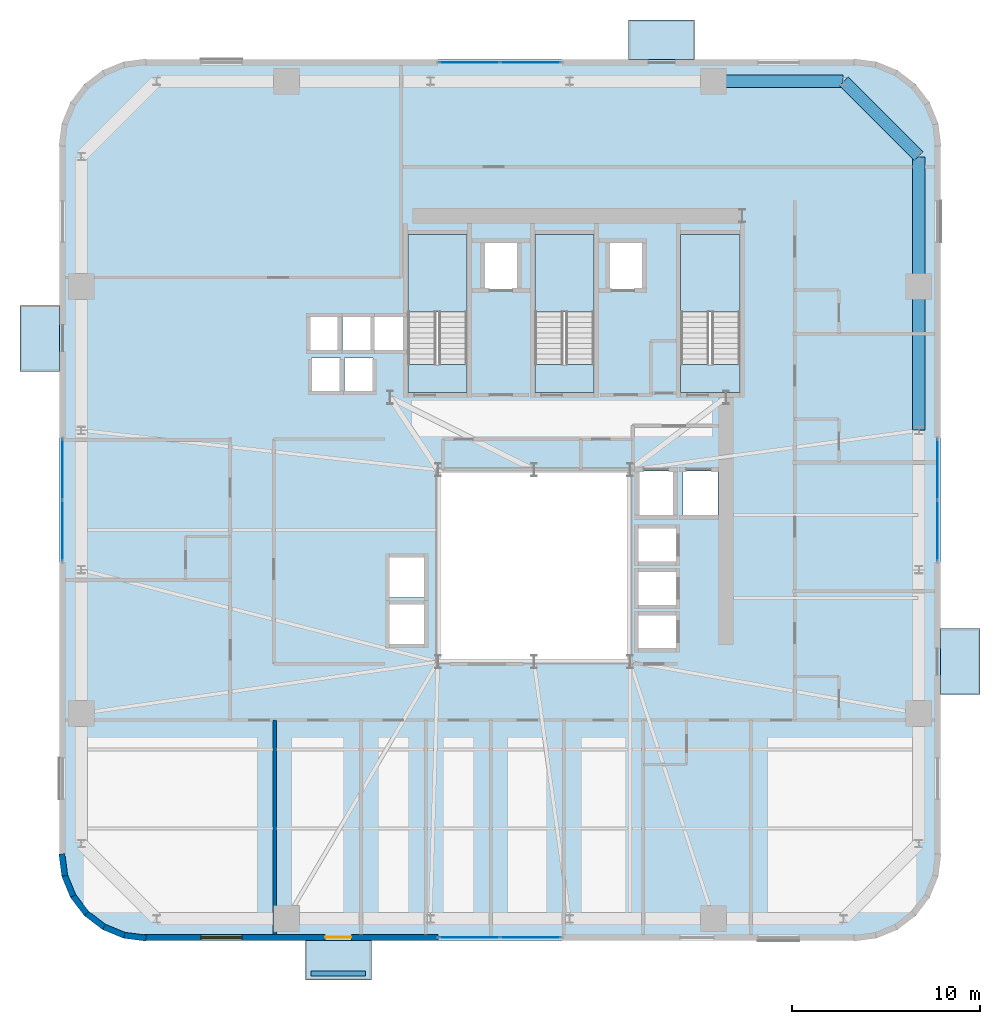
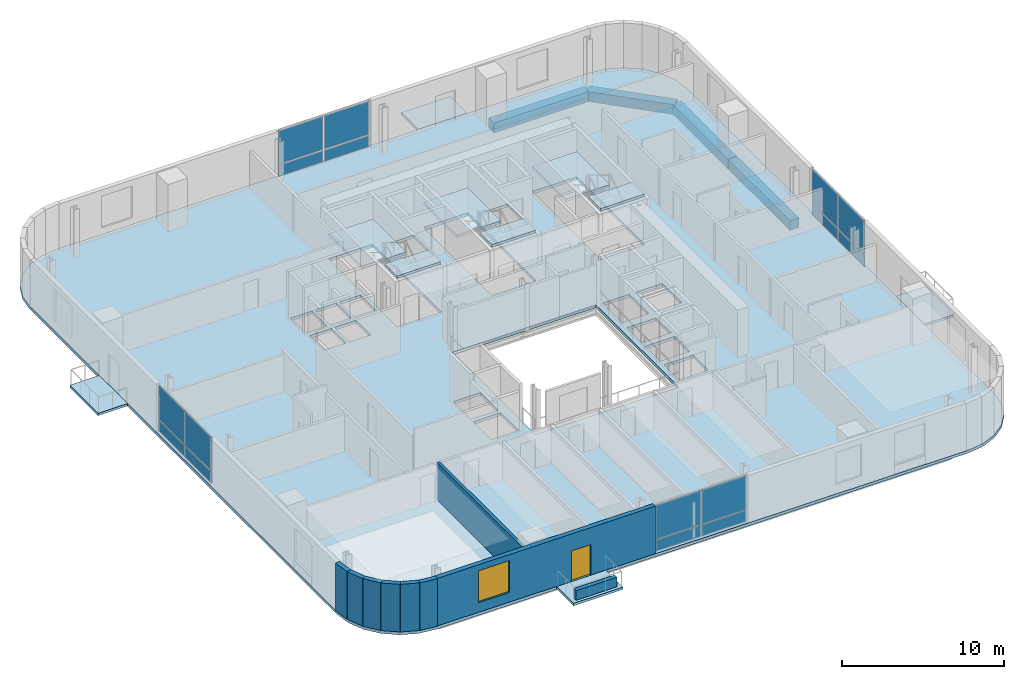
# One storey, part 6 of 14: 16 plates, 11 slabs, 9 walls, 4 beams, 1 door, 1 window, 2 openings, 7 elements without a shape of their own.
"""IFC4 building model written with IfcOpenShell, lengths in metres."""

from ifc_helpers import new_model, si_unit, direction, frame, frame_2d, origin, origin_2d, place, context, subcontext, project, spatial, polyline, rectangle, outline, extrude, source, transform, mapped, material, layer, layer_set, material_profile, profile_set, type_object, element, fill, aggregate, save


model = new_model("IFC4")

# Units and contexts
model_context = context("Model", 3, precision=1e-05, world=origin(), true_north=direction((0.0, 1.0)))
body_context = subcontext(model_context, "Body", "Model", "MODEL_VIEW")
ifc_project = project(units=[si_unit("LENGTHUNIT", "METRE"), si_unit("AREAUNIT", "SQUARE_METRE"), si_unit("VOLUMEUNIT", "CUBIC_METRE"), si_unit("PLANEANGLEUNIT", "RADIAN"), si_unit("MASSUNIT", "GRAM", prefix="KILO")], contexts=[model_context])

# Site, building, storey
site_placement = place(None, origin())
site = spatial("IfcSite", under=ifc_project, at=site_placement, CompositionType="ELEMENT")
building_placement = place(site_placement, origin())
building = spatial("IfcBuilding", under=site, at=building_placement, Name="Vardaveli Station Tower", CompositionType="ELEMENT")
storey_placement = place(building_placement, frame((0.0, 0.0, 177.199951171875)))
storey = spatial("IfcBuildingStorey", under=building, at=storey_placement, Name="L45", CompositionType="ELEMENT", Elevation=177.199951171875)

# Beams
ifc_material_1 = material(Name="Precast concrete C45/55", Category="concrete")
ifc_material_profile = material_profile(ifc_material_1, rectangle(XDim=0.64990234375, YDim=0.75, at=origin_2d()), Name="LPB 650x750")
ifc_profile_set = profile_set([ifc_material_profile], Name="Precast concrete C45/55")
beam_type = type_object("IfcBeamType", Name="BM-LPB-750", PredefinedType="BEAM", material=ifc_profile_set)
shared_shape_1 = source(origin(), body_context, "Body", "SweptSolid", [
    extrude(rectangle(XDim=0.64990234375, YDim=0.75, at=origin_2d()), origin(), (0.0, 0.0, 1.0), 7.60009765625),
])
beam_1_placement = place(storey_placement, frame((56.75, 28.919921875, -0.594970703125), z_axis=(0.0, 1.0, 0.0), x_axis=(-1.0, 0.0, 0.0)))
element("IfcBeam", 1, at=beam_1_placement, inside=storey, type_object=beam_type, Name="RBM-L45-09", PredefinedType="BEAM", context=body_context, shape_type="MappedRepresentation", body=[
    mapped(shared_shape_1, transform((0.0, 0.0, 0.0), scale=1.0)),
])
shared_shape_2 = source(origin(), body_context, "Body", "SweptSolid", [
    extrude(rectangle(XDim=0.64990234375, YDim=0.75, at=origin_2d()), origin(), (0.0, 0.0, 1.0), 6.869873046875),
])
for number, where, z_axis, x_axis, name in (
    (2, (56.75, 36.56005859375, -0.594970703125), (0.0, 1.0, 0.0), (-1.0, 0.0, 0.0), "RBM-L45-10"),
    (3, (52.72998046875, 47.449951171875, -0.594970703125), (-1.0, 0.0, 0.0), (0.0, -1.0, 0.0), "RBM-L45-12"),
):
    element("IfcBeam", number, at=place(storey_placement, frame(where, z_axis=z_axis, x_axis=x_axis)), inside=storey, type_object=beam_type, Name=name, PredefinedType="BEAM", context=body_context, shape_type="MappedRepresentation", body=[
        mapped(shared_shape_2, transform((0.0, 0.0, 0.0), scale=1.0)),
    ])
shared_shape_3 = source(origin(), body_context, "Body", "SweptSolid", [
    extrude(rectangle(XDim=0.64990234375, YDim=0.75, at=origin_2d()), origin(), (0.0, 0.0, 1.0), 5.61669921875),
])
beam_2_placement = place(storey_placement, frame((56.73583984375, 43.464111328125, -0.594970703125), z_axis=(-0.707106781187, 0.707106781187, 0.0), x_axis=(-0.707106781187, -0.707106781187, 0.0)))
element("IfcBeam", 4, at=beam_2_placement, inside=storey, type_object=beam_type, Name="RBM-L45-11", PredefinedType="BEAM", context=body_context, shape_type="MappedRepresentation", body=[
    mapped(shared_shape_3, transform((0.0, 0.0, 0.0), scale=1.0)),
])

# Stair, slabs
ifc_material_2 = material(Name="Concrete C40/50", Category="concrete")
stair_type = type_object("IfcStairType", Name="STR-CORE-1500", PredefinedType="HALF_TURN_STAIR", material=ifc_material_2)
stair_1_placement = place(storey_placement, origin())
stair_1 = element("IfcStair", 5, at=stair_1_placement, inside=storey, type_object=stair_type, Name="L45 ST-1", PredefinedType="HALF_TURN_STAIR")
ifc_layer_1 = layer(ifc_material_2, 0.199951171875, Name="Concrete C40/50")
ifc_layer_set_1 = layer_set([ifc_layer_1], Name="Concrete C40/50")
slab_type_1 = type_object("IfcSlabType", Name="SLB-LAND-200", PredefinedType="LANDING", material=ifc_layer_set_1)
slab_1_placement = place(storey_placement, frame((0.0, 0.0, 1.699951171875)))
slab_1 = element("IfcSlab", 6, at=slab_1_placement, type_object=slab_type_1, Name="ST-1 landing 1", PredefinedType="LANDING", context=body_context, shape_type="SweptSolid", body=[
    extrude(outline(polyline([(32.75, 35.199951171875), (32.75, 39.300048828125), (29.60009765625, 39.300048828125), (29.60009765625, 35.199951171875), (32.75, 35.199951171875)])), origin(), (0.0, 0.0, 1.0), 0.2001953125),
])
slab_2_placement = place(storey_placement, frame((0.0, 0.0, 3.60009765625)))
slab_2 = element("IfcSlab", 7, at=slab_2_placement, type_object=slab_type_1, Name="ST-1 landing 2", PredefinedType="LANDING", context=body_context, shape_type="SweptSolid", body=[
    extrude(outline(polyline([(32.75, 30.89990234375), (32.75, 32.39990234375), (29.60009765625, 32.39990234375), (29.60009765625, 30.89990234375), (32.75, 30.89990234375)])), origin(), (0.0, 0.0, 1.0), 0.199951171875),
])
aggregate(stair_1, [slab_1, slab_2])

stair_2_placement = place(storey_placement, origin())
stair_2 = element("IfcStair", 8, at=stair_2_placement, inside=storey, type_object=stair_type, Name="L45 ST-2", PredefinedType="HALF_TURN_STAIR")
slab_3_placement = place(storey_placement, frame((0.0, 0.0, 1.699951171875)))
slab_3 = element("IfcSlab", 9, at=slab_3_placement, type_object=slab_type_1, Name="ST-2 landing 1", PredefinedType="LANDING", context=body_context, shape_type="SweptSolid", body=[
    extrude(outline(polyline([(39.5, 35.199951171875), (39.5, 39.300048828125), (36.35009765625, 39.300048828125), (36.35009765625, 35.199951171875), (39.5, 35.199951171875)])), origin(), (0.0, 0.0, 1.0), 0.2001953125),
])
slab_4_placement = place(storey_placement, frame((0.0, 0.0, 3.60009765625)))
slab_4 = element("IfcSlab", 10, at=slab_4_placement, type_object=slab_type_1, Name="ST-2 landing 2", PredefinedType="LANDING", context=body_context, shape_type="SweptSolid", body=[
    extrude(outline(polyline([(39.5, 30.89990234375), (39.5, 32.39990234375), (36.35009765625, 32.39990234375), (36.35009765625, 30.89990234375), (39.5, 30.89990234375)])), origin(), (0.0, 0.0, 1.0), 0.199951171875),
])
aggregate(stair_2, [slab_3, slab_4])

stair_3_placement = place(storey_placement, origin())
stair_3 = element("IfcStair", 11, at=stair_3_placement, inside=storey, type_object=stair_type, Name="L45 ST-3", PredefinedType="HALF_TURN_STAIR")
slab_5_placement = place(storey_placement, frame((0.0, 0.0, 1.699951171875)))
slab_5 = element("IfcSlab", 12, at=slab_5_placement, type_object=slab_type_1, Name="ST-3 landing 1", PredefinedType="LANDING", context=body_context, shape_type="SweptSolid", body=[
    extrude(outline(polyline([(47.25, 35.199951171875), (47.25, 39.300048828125), (44.10009765625, 39.300048828125), (44.10009765625, 35.199951171875), (47.25, 35.199951171875)])), origin(), (0.0, 0.0, 1.0), 0.2001953125),
])
slab_6_placement = place(storey_placement, frame((0.0, 0.0, 3.60009765625)))
slab_6 = element("IfcSlab", 13, at=slab_6_placement, type_object=slab_type_1, Name="ST-3 landing 2", PredefinedType="LANDING", context=body_context, shape_type="SweptSolid", body=[
    extrude(outline(polyline([(47.25, 30.89990234375), (47.25, 32.39990234375), (44.10009765625, 32.39990234375), (44.10009765625, 30.89990234375), (47.25, 30.89990234375)])), origin(), (0.0, 0.0, 1.0), 0.199951171875),
])
aggregate(stair_3, [slab_5, slab_6])

# Slabs
ifc_layer_2 = layer(ifc_material_1, 0.179931640625, Name="Precast concrete C45/55")
ifc_layer_set_2 = layer_set([ifc_layer_2], Name="Precast concrete C45/55")
slab_type_2 = type_object("IfcSlabType", Name="SLB-LOGGIA-180", PredefinedType="FLOOR", material=ifc_layer_set_2)
slab_7_placement = place(storey_placement, frame((0.0, 0.0, -0.179931640625)))
element("IfcSlab", 14, at=slab_7_placement, inside=storey, type_object=slab_type_2, Name="LOG-L45-S", PredefinedType="FLOOR", context=body_context, shape_type="SweptSolid", body=[
    extrude(outline(polyline([(24.160400390625, -0.300048828125), (27.660400390625, -0.300048828125), (27.660400390625, 1.800048828125), (24.160400390625, 1.800048828125), (24.160400390625, -0.300048828125)])), origin(), (0.0, 0.0, 1.0), 0.179931640625),
])
slab_8_placement = place(storey_placement, frame((0.0, 0.0, -0.179931640625)))
element("IfcSlab", 15, at=slab_8_placement, inside=storey, type_object=slab_type_2, Name="LOG-L45-N", PredefinedType="FLOOR", context=body_context, shape_type="SweptSolid", body=[
    extrude(outline(polyline([(41.339599609375, 48.60009765625), (44.839599609375, 48.60009765625), (44.839599609375, 50.699951171875), (41.339599609375, 50.699951171875), (41.339599609375, 48.60009765625)])), origin(), (0.0, 0.0, 1.0), 0.179931640625),
])
slab_9_placement = place(storey_placement, frame((0.0, 0.0, -0.179931640625)))
element("IfcSlab", 16, at=slab_9_placement, inside=storey, type_object=slab_type_2, Name="LOG-L45-W", PredefinedType="FLOOR", context=body_context, shape_type="SweptSolid", body=[
    extrude(outline(polyline([(9.0, 32.03955078125), (11.10009765625, 32.03955078125), (11.10009765625, 35.53955078125), (9.0, 35.53955078125), (9.0, 32.03955078125)])), origin(), (0.0, 0.0, 1.0), 0.179931640625),
])
slab_10_placement = place(storey_placement, frame((0.0, 0.0, -0.179931640625)))
element("IfcSlab", 17, at=slab_10_placement, inside=storey, type_object=slab_type_2, Name="LOG-L45-E", PredefinedType="FLOOR", context=body_context, shape_type="SweptSolid", body=[
    extrude(outline(polyline([(57.89990234375, 14.8603515625), (60.0, 14.8603515625), (60.0, 18.3603515625), (57.89990234375, 18.3603515625), (57.89990234375, 14.8603515625)])), origin(), (0.0, 0.0, 1.0), 0.179931640625),
])
ifc_layer_3 = layer(ifc_material_2, 0.219970703125, Name="Concrete C40/50")
ifc_layer_set_3 = layer_set([ifc_layer_3], Name="Concrete C40/50")
slab_type_3 = type_object("IfcSlabType", Name="SLB-TOW-220", PredefinedType="FLOOR", material=ifc_layer_set_3)
slab_11_placement = place(storey_placement, frame((0.0, 0.0, -0.219970703125)))
element("IfcSlab", 18, at=slab_11_placement, inside=storey, type_object=slab_type_3, Name="SLB-L45-MAIN", PredefinedType="FLOOR", context=body_context, shape_type="SweptSolid", body=[
    extrude(outline(polyline([(11.10009765625, 6.300048828125), (11.25341796875, 5.13525390625), (11.702880859375, 4.050048828125), (12.41796875, 3.117919921875), (13.35009765625, 2.40283203125), (14.435302734375, 1.953369140625), (15.60009765625, 1.800048828125), (53.39990234375, 1.800048828125), (54.564697265625, 1.953369140625), (55.64990234375, 2.40283203125), (56.58203125, 3.117919921875), (57.297119140625, 4.050048828125), (57.74658203125, 5.13525390625), (57.89990234375, 6.300048828125), (57.89990234375, 44.10009765625), (57.74658203125, 45.2646484375), (57.297119140625, 46.35009765625), (56.58203125, 47.281982421875), (55.64990234375, 47.9970703125), (54.564697265625, 48.44677734375), (53.39990234375, 48.60009765625), (15.60009765625, 48.60009765625), (14.435302734375, 48.44677734375), (13.35009765625, 47.9970703125), (12.41796875, 47.281982421875), (11.702880859375, 46.35009765625), (11.25341796875, 45.2646484375), (11.10009765625, 44.10009765625), (11.10009765625, 6.300048828125)]), holes=[polyline([(31.199951171875, 16.60009765625), (41.39990234375, 16.60009765625), (41.39990234375, 26.800048828125), (31.199951171875, 26.800048828125), (31.199951171875, 16.60009765625)]), polyline([(32.75, 30.89990234375), (32.75, 39.300048828125), (29.60009765625, 39.300048828125), (29.60009765625, 30.89990234375), (32.75, 30.89990234375)]), polyline([(39.5, 30.89990234375), (39.5, 39.300048828125), (36.35009765625, 39.300048828125), (36.35009765625, 30.89990234375), (39.5, 30.89990234375)]), polyline([(47.25, 30.89990234375), (47.25, 39.300048828125), (44.10009765625, 39.300048828125), (44.10009765625, 30.89990234375), (47.25, 30.89990234375)]), polyline([(24.385009765625, 33.135009765625), (25.9150390625, 33.135009765625), (25.9150390625, 34.965087890625), (24.385009765625, 34.965087890625), (24.385009765625, 33.135009765625)]), polyline([(26.135009765625, 33.135009765625), (27.6650390625, 33.135009765625), (27.6650390625, 34.965087890625), (26.135009765625, 34.965087890625), (26.135009765625, 33.135009765625)]), polyline([(27.8349609375, 33.135009765625), (29.364990234375, 33.135009765625), (29.364990234375, 34.965087890625), (27.8349609375, 34.965087890625), (27.8349609375, 33.135009765625)]), polyline([(33.659912109375, 36.409912109375), (35.43994140625, 36.409912109375), (35.43994140625, 38.889892578125), (33.659912109375, 38.889892578125), (33.659912109375, 36.409912109375)]), polyline([(40.31005859375, 36.409912109375), (42.090087890625, 36.409912109375), (42.090087890625, 38.889892578125), (40.31005859375, 38.889892578125), (40.31005859375, 36.409912109375)]), polyline([(24.485107421875, 30.9599609375), (26.014892578125, 30.9599609375), (26.014892578125, 32.739990234375), (24.485107421875, 32.739990234375), (24.485107421875, 30.9599609375)]), polyline([(26.235107421875, 30.9599609375), (27.764892578125, 30.9599609375), (27.764892578125, 32.739990234375), (26.235107421875, 32.739990234375), (26.235107421875, 30.9599609375)]), polyline([(41.81005859375, 21.885009765625), (43.889892578125, 21.885009765625), (43.889892578125, 23.715087890625), (41.81005859375, 23.715087890625), (41.81005859375, 21.885009765625)]), polyline([(41.81005859375, 19.5849609375), (43.889892578125, 19.5849609375), (43.889892578125, 21.4150390625), (41.81005859375, 21.4150390625), (41.81005859375, 19.5849609375)]), polyline([(41.81005859375, 17.284912109375), (43.889892578125, 17.284912109375), (43.889892578125, 19.114990234375), (41.81005859375, 19.114990234375), (41.81005859375, 17.284912109375)]), polyline([(28.5849609375, 17.510009765625), (30.514892578125, 17.510009765625), (30.514892578125, 19.68994140625), (28.5849609375, 19.68994140625), (28.5849609375, 17.510009765625)]), polyline([(28.5849609375, 20.010009765625), (30.514892578125, 20.010009765625), (30.514892578125, 22.18994140625), (28.5849609375, 22.18994140625), (28.5849609375, 20.010009765625)]), polyline([(41.860107421875, 24.360107421875), (43.739990234375, 24.360107421875), (43.739990234375, 26.739990234375), (41.860107421875, 26.739990234375), (41.860107421875, 24.360107421875)]), polyline([(44.2099609375, 24.360107421875), (46.090087890625, 24.360107421875), (46.090087890625, 26.739990234375), (44.2099609375, 26.739990234375), (44.2099609375, 24.360107421875)])]), origin(), (0.0, 0.0, 1.0), 0.219970703125),
])

# Curtain wall, plates
ifc_material_3 = material(Name="Travertine stone and solar-control glass", Category="masonry")
curtain_wall_type = type_object("IfcCurtainWallType", Name="CW-SYS-5", PredefinedType="NOTDEFINED", material=ifc_material_3)
curtain_wall_1_placement = place(storey_placement, origin())
curtain_wall_1 = element("IfcCurtainWall", 19, at=curtain_wall_1_placement, inside=storey, type_object=curtain_wall_type, Name="CW-L45-S", PredefinedType="NOTDEFINED")
ifc_material_4 = material(Name="Double-glazed low-E solar-control glass", Category="glass")
ifc_layer_4 = layer(ifc_material_4, 0.031982421875, Name="Double-glazed low-E solar-control glass")
ifc_layer_set_4 = layer_set([ifc_layer_4], Name="Double-glazed low-E solar-control glass")
plate_type = type_object("IfcPlateType", Name="CW-SYS-5-PAN", PredefinedType="CURTAIN_PANEL", material=ifc_layer_set_4)
shared_shape_4 = source(origin(), body_context, "Body", "SweptSolid", [
    extrude(rectangle(XDim=3.179931640625, YDim=0.031982421875, at=origin_2d()), origin(), (0.0, 0.0, 1.0), 0.830078125),
])
plate_1_placement = place(storey_placement, frame((32.8701171875, 1.9599609375, 0.080078125), z_axis=(0.0, 0.0, 1.0), x_axis=(1.0, 0.0, 0.0)))
plate_1 = element("IfcPlate", 20, at=plate_1_placement, type_object=plate_type, Name="CW-5 panel 1.1", PredefinedType="CURTAIN_PANEL", context=body_context, shape_type="MappedRepresentation", body=[
    mapped(shared_shape_4, transform((0.0, 0.0, 0.0), scale=1.0)),
])
plate_2_placement = place(storey_placement, frame((36.1298828125, 1.9599609375, 0.080078125), z_axis=(0.0, 0.0, 1.0), x_axis=(1.0, 0.0, 0.0)))
plate_2 = element("IfcPlate", 21, at=plate_2_placement, type_object=plate_type, Name="CW-5 panel 2.1", PredefinedType="CURTAIN_PANEL", context=body_context, shape_type="MappedRepresentation", body=[
    mapped(shared_shape_4, transform((0.0, 0.0, 0.0), scale=1.0)),
])

curtain_wall_2_placement = place(storey_placement, origin())
curtain_wall_2 = element("IfcCurtainWall", 22, at=curtain_wall_2_placement, inside=storey, type_object=curtain_wall_type, Name="CW-L45-N", PredefinedType="NOTDEFINED")
plate_3_placement = place(storey_placement, frame((36.1298828125, 48.43994140625, 0.080078125), z_axis=(0.0, 0.0, 1.0), x_axis=(-1.0, 0.0, 0.0)))
plate_3 = element("IfcPlate", 23, at=plate_3_placement, type_object=plate_type, Name="CW-5 panel 1.1", PredefinedType="CURTAIN_PANEL", context=body_context, shape_type="MappedRepresentation", body=[
    mapped(shared_shape_4, transform((0.0, 0.0, 0.0), scale=1.0)),
])
plate_4_placement = place(storey_placement, frame((32.8701171875, 48.43994140625, 0.080078125), z_axis=(0.0, 0.0, 1.0), x_axis=(-1.0, 0.0, 0.0)))
plate_4 = element("IfcPlate", 24, at=plate_4_placement, type_object=plate_type, Name="CW-5 panel 2.1", PredefinedType="CURTAIN_PANEL", context=body_context, shape_type="MappedRepresentation", body=[
    mapped(shared_shape_4, transform((0.0, 0.0, 0.0), scale=1.0)),
])

curtain_wall_3_placement = place(storey_placement, origin())
curtain_wall_3 = element("IfcCurtainWall", 25, at=curtain_wall_3_placement, inside=storey, type_object=curtain_wall_type, Name="CW-L45-W", PredefinedType="NOTDEFINED")
plate_5_placement = place(storey_placement, frame((11.260009765625, 26.830078125, 0.080078125), z_axis=(0.0, 0.0, 1.0), x_axis=(0.0, -1.0, 0.0)))
plate_5 = element("IfcPlate", 26, at=plate_5_placement, type_object=plate_type, Name="CW-5 panel 1.1", PredefinedType="CURTAIN_PANEL", context=body_context, shape_type="MappedRepresentation", body=[
    mapped(shared_shape_4, transform((0.0, 0.0, 0.0), scale=1.0)),
])
plate_6_placement = place(storey_placement, frame((11.260009765625, 23.570068359375, 0.080078125), z_axis=(0.0, 0.0, 1.0), x_axis=(0.0, -1.0, 0.0)))
plate_6 = element("IfcPlate", 27, at=plate_6_placement, type_object=plate_type, Name="CW-5 panel 2.1", PredefinedType="CURTAIN_PANEL", context=body_context, shape_type="MappedRepresentation", body=[
    mapped(shared_shape_4, transform((0.0, 0.0, 0.0), scale=1.0)),
])

curtain_wall_4_placement = place(storey_placement, origin())
curtain_wall_4 = element("IfcCurtainWall", 28, at=curtain_wall_4_placement, inside=storey, type_object=curtain_wall_type, Name="CW-L45-E", PredefinedType="NOTDEFINED")
plate_7_placement = place(storey_placement, frame((57.739990234375, 23.570068359375, 0.080078125), z_axis=(0.0, 0.0, 1.0), x_axis=(0.0, 1.0, 0.0)))
plate_7 = element("IfcPlate", 29, at=plate_7_placement, type_object=plate_type, Name="CW-5 panel 1.1", PredefinedType="CURTAIN_PANEL", context=body_context, shape_type="MappedRepresentation", body=[
    mapped(shared_shape_4, transform((0.0, 0.0, 0.0), scale=1.0)),
])
plate_8_placement = place(storey_placement, frame((57.739990234375, 26.830078125, 0.080078125), z_axis=(0.0, 0.0, 1.0), x_axis=(0.0, 1.0, 0.0)))
plate_8 = element("IfcPlate", 30, at=plate_8_placement, type_object=plate_type, Name="CW-5 panel 2.1", PredefinedType="CURTAIN_PANEL", context=body_context, shape_type="MappedRepresentation", body=[
    mapped(shared_shape_4, transform((0.0, 0.0, 0.0), scale=1.0)),
])

# Plate
shared_shape_5 = source(origin(), body_context, "Body", "SweptSolid", [
    extrude(rectangle(XDim=3.179931640625, YDim=0.031982421875, at=origin_2d()), origin(), (0.0, 0.0, 1.0), 2.510009765625),
])
plate_9_placement = place(storey_placement, frame((32.8701171875, 1.9599609375, 0.990234375), z_axis=(0.0, 0.0, 1.0), x_axis=(1.0, 0.0, 0.0)))
plate_9 = element("IfcPlate", 31, at=plate_9_placement, type_object=plate_type, Name="CW-5 panel 1.2", PredefinedType="CURTAIN_PANEL", context=body_context, shape_type="MappedRepresentation", body=[
    mapped(shared_shape_5, transform((0.0, 0.0, 0.0), scale=1.0)),
])

plate_10_placement = place(storey_placement, frame((36.1298828125, 1.9599609375, 0.990234375), z_axis=(0.0, 0.0, 1.0), x_axis=(1.0, 0.0, 0.0)))
plate_10 = element("IfcPlate", 32, at=plate_10_placement, type_object=plate_type, Name="CW-5 panel 2.2", PredefinedType="CURTAIN_PANEL", context=body_context, shape_type="MappedRepresentation", body=[
    mapped(shared_shape_5, transform((0.0, 0.0, 0.0), scale=1.0)),
])

aggregate(curtain_wall_1, [plate_1, plate_9, plate_2, plate_10])

plate_11_placement = place(storey_placement, frame((36.1298828125, 48.43994140625, 0.990234375), z_axis=(0.0, 0.0, 1.0), x_axis=(-1.0, 0.0, 0.0)))
plate_11 = element("IfcPlate", 33, at=plate_11_placement, type_object=plate_type, Name="CW-5 panel 1.2", PredefinedType="CURTAIN_PANEL", context=body_context, shape_type="MappedRepresentation", body=[
    mapped(shared_shape_5, transform((0.0, 0.0, 0.0), scale=1.0)),
])

plate_12_placement = place(storey_placement, frame((32.8701171875, 48.43994140625, 0.990234375), z_axis=(0.0, 0.0, 1.0), x_axis=(-1.0, 0.0, 0.0)))
plate_12 = element("IfcPlate", 34, at=plate_12_placement, type_object=plate_type, Name="CW-5 panel 2.2", PredefinedType="CURTAIN_PANEL", context=body_context, shape_type="MappedRepresentation", body=[
    mapped(shared_shape_5, transform((0.0, 0.0, 0.0), scale=1.0)),
])

aggregate(curtain_wall_2, [plate_3, plate_11, plate_4, plate_12])

plate_13_placement = place(storey_placement, frame((11.260009765625, 26.830078125, 0.990234375), z_axis=(0.0, 0.0, 1.0), x_axis=(0.0, -1.0, 0.0)))
plate_13 = element("IfcPlate", 35, at=plate_13_placement, type_object=plate_type, Name="CW-5 panel 1.2", PredefinedType="CURTAIN_PANEL", context=body_context, shape_type="MappedRepresentation", body=[
    mapped(shared_shape_5, transform((0.0, 0.0, 0.0), scale=1.0)),
])

plate_14_placement = place(storey_placement, frame((11.260009765625, 23.570068359375, 0.990234375), z_axis=(0.0, 0.0, 1.0), x_axis=(0.0, -1.0, 0.0)))
plate_14 = element("IfcPlate", 36, at=plate_14_placement, type_object=plate_type, Name="CW-5 panel 2.2", PredefinedType="CURTAIN_PANEL", context=body_context, shape_type="MappedRepresentation", body=[
    mapped(shared_shape_5, transform((0.0, 0.0, 0.0), scale=1.0)),
])

aggregate(curtain_wall_3, [plate_5, plate_13, plate_6, plate_14])

plate_15_placement = place(storey_placement, frame((57.739990234375, 23.570068359375, 0.990234375), z_axis=(0.0, 0.0, 1.0), x_axis=(0.0, 1.0, 0.0)))
plate_15 = element("IfcPlate", 37, at=plate_15_placement, type_object=plate_type, Name="CW-5 panel 1.2", PredefinedType="CURTAIN_PANEL", context=body_context, shape_type="MappedRepresentation", body=[
    mapped(shared_shape_5, transform((0.0, 0.0, 0.0), scale=1.0)),
])

plate_16_placement = place(storey_placement, frame((57.739990234375, 26.830078125, 0.990234375), z_axis=(0.0, 0.0, 1.0), x_axis=(0.0, 1.0, 0.0)))
plate_16 = element("IfcPlate", 38, at=plate_16_placement, type_object=plate_type, Name="CW-5 panel 2.2", PredefinedType="CURTAIN_PANEL", context=body_context, shape_type="MappedRepresentation", body=[
    mapped(shared_shape_5, transform((0.0, 0.0, 0.0), scale=1.0)),
])

aggregate(curtain_wall_4, [plate_7, plate_15, plate_8, plate_16])

# Wall
ifc_layer_5 = layer(ifc_material_1, 0.280029296875, Name="Precast concrete C45/55")
ifc_layer_set_5 = layer_set([ifc_layer_5], Name="Precast concrete C45/55")
wall_type_1 = type_object("IfcWallType", Name="WAL-PARAPET-280", PredefinedType="SOLIDWALL", material=ifc_layer_set_5)
shared_shape_6 = source(origin(), body_context, "Body", "SweptSolid", [
    extrude(rectangle(XDim=2.89990234375, YDim=0.280029296875, at=frame_2d((1.449951171875, 0.0))), origin(), (0.0, 0.0, 1.0), 0.719970703125),
])
wall_1_placement = place(storey_placement, frame((24.46044921875, 0.050048828125, 0.0), z_axis=(0.0, 0.0, 1.0), x_axis=(1.0, 0.0, 0.0)))
element("IfcWall", 39, at=wall_1_placement, inside=storey, type_object=wall_type_1, Name="Terrace Travertine Planter L45", PredefinedType="SOLIDWALL", context=body_context, shape_type="MappedRepresentation", body=[
    mapped(shared_shape_6, transform((0.0, 0.0, 0.0), scale=1.0)),
])

# Wall, openings, door, window
ifc_layer_6 = layer(ifc_material_1, 0.320068359375, Name="Precast concrete C45/55")
ifc_layer_set_6 = layer_set([ifc_layer_6], Name="Precast concrete C45/55")
wall_type_2 = type_object("IfcWallType", Name="WAL-EXT-STONE-320", PredefinedType="SOLIDWALL", material=ifc_layer_set_6)
shared_shape_7 = source(origin(), body_context, "Body", "SweptSolid", [
    extrude(rectangle(XDim=15.599853515625, YDim=0.320068359375, at=frame_2d((7.7998046875, 0.0))), origin(), (0.0, 0.0, 1.0), 3.580078125),
])
wall_2_placement = place(storey_placement, frame((15.60009765625, 1.9599609375, 0.0), z_axis=(0.0, 0.0, 1.0), x_axis=(1.0, 0.0, 0.0)))
wall_2 = element("IfcWall", 40, at=wall_2_placement, inside=storey, type_object=wall_type_2, Name="EW-L45-S1", PredefinedType="SOLIDWALL", context=body_context, shape_type="MappedRepresentation", body=[
    mapped(shared_shape_7, transform((0.0, 0.0, 0.0), scale=1.0)),
])
shared_shape_8 = source(origin(), body_context, "Body", "SweptSolid", [
    extrude(rectangle(XDim=1.39990234375, YDim=2.300048828125, at=frame_2d((0.699951171875, 1.14990234375))), frame((0.0, 0.169921875, 0.0), z_axis=(0.0, -1.0, 0.0), x_axis=(1.0, 0.0, 0.0)), (0.0, 0.0, 1.0), 0.340087890625),
])
opening_1_placement = place(wall_2_placement, frame((9.6103515625, 0.0, 0.0)))
opening_1 = element("IfcOpeningElement", 41, at=opening_1_placement, cuts=wall_2, Name="Opening D-09", PredefinedType="OPENING", context=body_context, shape_type="MappedRepresentation", body=[
    mapped(shared_shape_8, transform((0.0, 0.0, 0.0), scale=1.0)),
])
shared_shape_9 = source(origin(), body_context, "Body", "SweptSolid", [
    extrude(rectangle(XDim=2.199951171875, YDim=2.39990234375, at=frame_2d((1.10009765625, 1.199951171875))), frame((0.0, 0.169921875, 0.0), z_axis=(0.0, -1.0, 0.0), x_axis=(1.0, 0.0, 0.0)), (0.0, 0.0, 1.0), 0.340087890625),
])
opening_2_placement = place(wall_2_placement, frame((3.0048828125, 0.0, 0.719970703125)))
opening_2 = element("IfcOpeningElement", 42, at=opening_2_placement, cuts=wall_2, Name="Opening W-03", PredefinedType="OPENING", context=body_context, shape_type="MappedRepresentation", body=[
    mapped(shared_shape_9, transform((0.0, 0.0, 0.0), scale=1.0)),
])
ifc_material_5 = material(Name="Thermally broken aluminium glass", Category="aluminium")
door_type = type_object("IfcDoorType", Name="DR-LOG-1400x2300", OperationType="DOUBLE_DOOR_SLIDING", PredefinedType="DOOR", material=ifc_material_5)
shared_shape_10 = source(origin(), body_context, "Body", "SweptSolid", [
    extrude(rectangle(XDim=1.39990234375, YDim=2.300048828125, at=frame_2d((0.699951171875, 1.14990234375))), frame((0.0, 0.02490234375, 0.0), z_axis=(0.0, -1.0, 0.0), x_axis=(1.0, 0.0, 0.0)), (0.0, 0.0, 1.0), 0.050048828125),
])
door_placement = place(opening_1_placement, frame((1.39990234375, 0.0, 0.0), z_axis=(0.0, 0.0, 1.0), x_axis=(-1.0, 0.0, 0.0)))
door = element("IfcDoor", 43, at=door_placement, inside=storey, type_object=door_type, Name="DLG-L45-S", OperationType="DOUBLE_DOOR_SLIDING", OverallHeight=2.300048828125, OverallWidth=1.39990234375, PredefinedType="DOOR", context=body_context, shape_type="MappedRepresentation", body=[
    mapped(shared_shape_10, transform((0.0, 0.0, 0.0), scale=1.0)),
])
fill(opening_1, door)
ifc_material_6 = material(Name="Low-E solar-control glass", Category="glass")
window_type = type_object("IfcWindowType", Name="WIN-LOG-2200x2400", PartitioningType="SINGLE_PANEL", PredefinedType="WINDOW", material=ifc_material_6)
shared_shape_11 = source(origin(), body_context, "Body", "SweptSolid", [
    extrude(rectangle(XDim=2.199951171875, YDim=2.39990234375, at=frame_2d((1.10009765625, 1.199951171875))), frame((0.0, 0.030029296875, 0.0), z_axis=(0.0, -1.0, 0.0), x_axis=(1.0, 0.0, 0.0)), (0.0, 0.0, 1.0), 0.06005859375),
])
window_placement = place(opening_2_placement, origin())
window = element("IfcWindow", 44, at=window_placement, inside=storey, type_object=window_type, Name="WN-L45-S1", OverallHeight=2.39990234375, OverallWidth=2.199951171875, PartitioningType="SINGLE_PANEL", PredefinedType="WINDOW", context=body_context, shape_type="MappedRepresentation", body=[
    mapped(shared_shape_11, transform((0.0, 0.0, 0.0), scale=1.0)),
])
fill(opening_2, window)

# Walls
shared_shape_12 = source(origin(), body_context, "Body", "SweptSolid", [
    extrude(rectangle(XDim=1.170654296875, YDim=0.320068359375, at=frame_2d((0.58544921875, 0.0))), origin(), (0.0, 0.0, 1.0), 3.580078125),
])
wall_3_placement = place(storey_placement, frame((11.224365234375, 6.400634765625, 0.0), z_axis=(0.0, 0.0, 1.0), x_axis=(0.128269133229, -0.991739395941, 0.0)))
element("IfcWall", 45, at=wall_3_placement, inside=storey, type_object=wall_type_2, Name="EW-L45-CR1-1", PredefinedType="SOLIDWALL", context=body_context, shape_type="MappedRepresentation", body=[
    mapped(shared_shape_12, transform((0.0, 0.0, 0.0), scale=1.0)),
])
shared_shape_13 = source(origin(), body_context, "Body", "SweptSolid", [
    extrude(rectangle(XDim=1.1689453125, YDim=0.320068359375, at=frame_2d((0.58447265625, 0.0))), origin(), (0.0, 0.0, 1.0), 3.580078125),
])
for number, where, z_axis, x_axis, name in (
    (46, (11.37451171875, 5.23974609375, 0.0), (0.0, 0.0, 1.0), (0.381127904695, -0.924522320046, 0.0), "EW-L45-CR1-2"),
    (47, (11.820068359375, 4.158935546875, 0.0), (0.0, 0.0, 1.0), (0.608387696831, -0.793639975269, 0.0), "EW-L45-CR1-3"),
):
    element("IfcWall", number, at=place(storey_placement, frame(where, z_axis=z_axis, x_axis=x_axis)), inside=storey, type_object=wall_type_2, Name=name, PredefinedType="SOLIDWALL", context=body_context, shape_type="MappedRepresentation", body=[
        mapped(shared_shape_13, transform((0.0, 0.0, 0.0), scale=1.0)),
    ])
shared_shape_14 = source(origin(), body_context, "Body", "SweptSolid", [
    extrude(rectangle(XDim=1.168701171875, YDim=0.320068359375, at=frame_2d((0.58447265625, 0.0))), origin(), (0.0, 0.0, 1.0), 3.580078125),
])
wall_4_placement = place(storey_placement, frame((12.53125, 3.231201171875, 0.0), z_axis=(0.0, 0.0, 1.0), x_axis=(0.793663520347, -0.608356981114, 0.0)))
element("IfcWall", 48, at=wall_4_placement, inside=storey, type_object=wall_type_2, Name="EW-L45-CR1-4", PredefinedType="SOLIDWALL", context=body_context, shape_type="MappedRepresentation", body=[
    mapped(shared_shape_14, transform((0.0, 0.0, 0.0), scale=1.0)),
])
shared_shape_15 = source(origin(), body_context, "Body", "SweptSolid", [
    extrude(rectangle(XDim=1.16943359375, YDim=0.320068359375, at=frame_2d((0.584716796875, 0.0))), origin(), (0.0, 0.0, 1.0), 3.580078125),
])
wall_5_placement = place(storey_placement, frame((13.458740234375, 2.520263671875, 0.0), z_axis=(0.0, 0.0, 1.0), x_axis=(0.924479075121, -0.381232789334, 0.0)))
element("IfcWall", 49, at=wall_5_placement, inside=storey, type_object=wall_type_2, Name="EW-L45-CR1-5", PredefinedType="SOLIDWALL", context=body_context, shape_type="MappedRepresentation", body=[
    mapped(shared_shape_15, transform((0.0, 0.0, 0.0), scale=1.0)),
])
shared_shape_16 = source(origin(), body_context, "Body", "SweptSolid", [
    extrude(rectangle(XDim=1.170166015625, YDim=0.320068359375, at=frame_2d((0.5849609375, 0.0))), origin(), (0.0, 0.0, 1.0), 3.580078125),
])
wall_6_placement = place(storey_placement, frame((14.539794921875, 2.074462890625, 0.0), z_axis=(0.0, 0.0, 1.0), x_axis=(0.991762485493, -0.128090485085, 0.0)))
element("IfcWall", 50, at=wall_6_placement, inside=storey, type_object=wall_type_2, Name="EW-L45-CR1-6", PredefinedType="SOLIDWALL", context=body_context, shape_type="MappedRepresentation", body=[
    mapped(shared_shape_16, transform((0.0, 0.0, 0.0), scale=1.0)),
])
ifc_material_7 = material(Name="Acoustic twin-stud gypsum partition")
ifc_layer_7 = layer(ifc_material_7, 0.199951171875, Name="Acoustic twin-stud gypsum partition")
ifc_layer_set_7 = layer_set([ifc_layer_7], Name="Acoustic twin-stud gypsum partition")
wall_type_3 = type_object("IfcWallType", Name="WAL-PARTY-200", PredefinedType="PARTITIONING", material=ifc_layer_set_7)
shared_shape_17 = source(origin(), body_context, "Body", "SweptSolid", [
    extrude(rectangle(XDim=11.387939453125, YDim=0.199951171875, at=frame_2d((5.69384765625, 0.0))), origin(), (0.0, 0.0, 1.0), 2.822021484375),
])
wall_7_placement = place(storey_placement, frame((22.530029296875, 2.1220703125, 0.0), z_axis=(0.0, 0.0, 1.0), x_axis=(0.0, 1.0, 0.0)))
element("IfcWall", 51, at=wall_7_placement, inside=storey, type_object=wall_type_3, Name="W-L45-PS1", PredefinedType="PARTITIONING", context=body_context, shape_type="MappedRepresentation", body=[
    mapped(shared_shape_17, transform((0.0, 0.0, 0.0), scale=1.0)),
])

save(model, "model.ifc")
